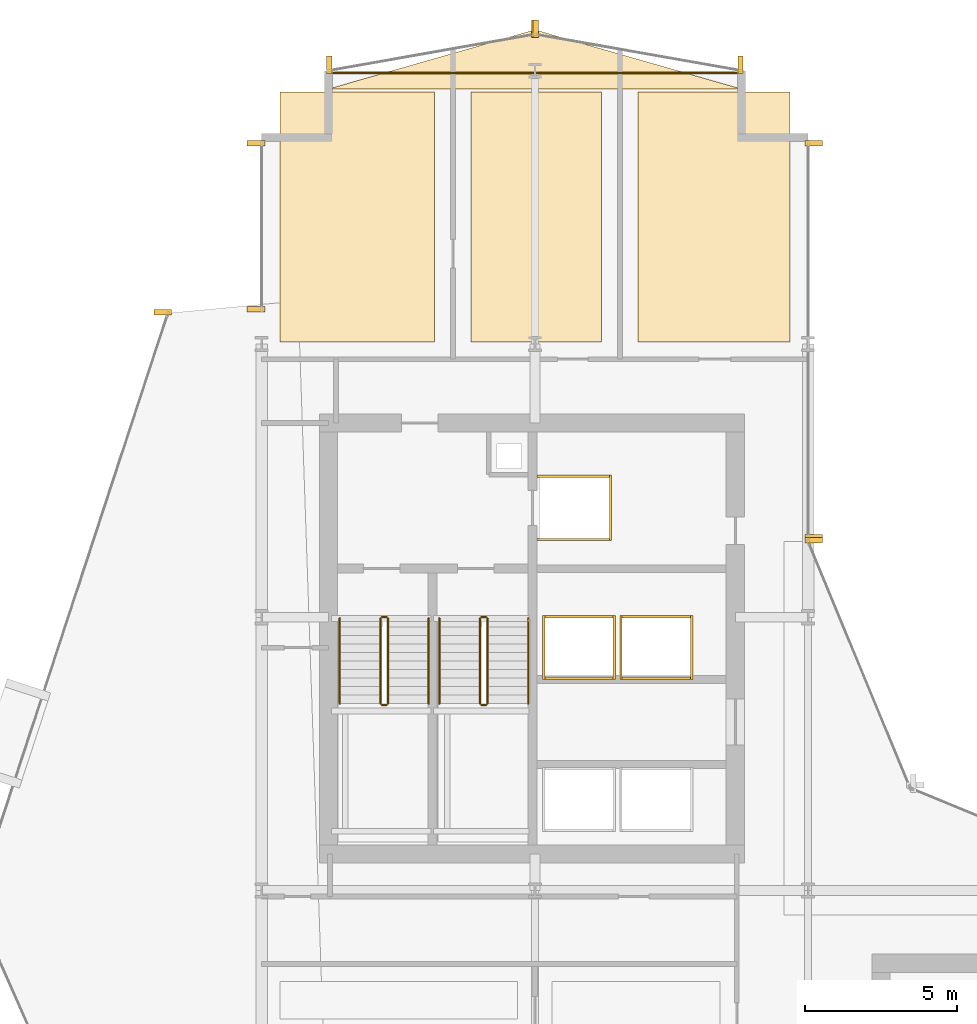
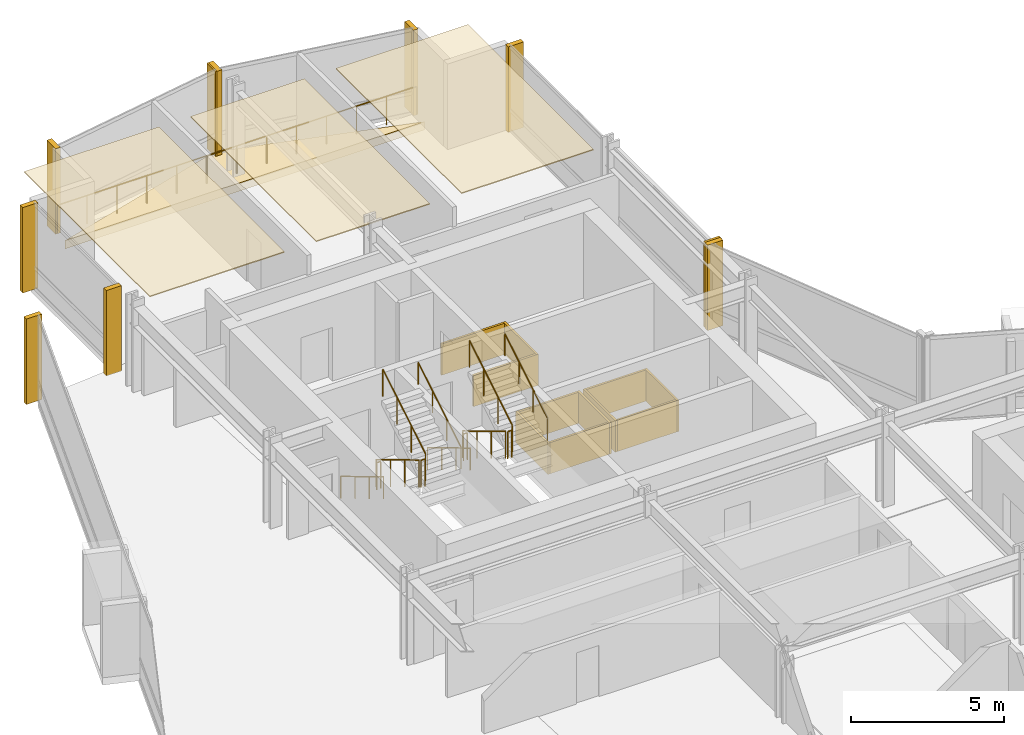
# One storey, part 33 of 34: 25 coverings, 13 railings.
"""IFC4 building model written with IfcOpenShell, lengths in metres."""

from ifc_helpers import new_model, si_unit, direction, frame, origin, origin_2d, place, context, subcontext, project, spatial, polyline, rectangle, circle, outline, extrude, material, layer, layer_set, type_object, element, save


model = new_model("IFC4")

# Units and contexts
model_context = context("Model", 3, precision=1e-05, world=origin(), true_north=direction((0.0, 1.0)))
body_context = subcontext(model_context, "Body", "Model", "MODEL_VIEW")
ifc_project = project(units=[si_unit("LENGTHUNIT", "METRE"), si_unit("AREAUNIT", "SQUARE_METRE"), si_unit("VOLUMEUNIT", "CUBIC_METRE"), si_unit("PLANEANGLEUNIT", "RADIAN"), si_unit("MASSUNIT", "GRAM", prefix="KILO")], contexts=[model_context])

# Site, building, storey
site_placement = place(None, origin())
site = spatial("IfcSite", under=ifc_project, at=site_placement, CompositionType="ELEMENT")
building_placement = place(site_placement, origin())
building = spatial("IfcBuilding", under=site, at=building_placement, Name="Solvaryn Broadcast Tower", CompositionType="ELEMENT")
storey_placement = place(building_placement, frame((0.0, 0.0, 36.0)))
storey = spatial("IfcBuildingStorey", under=building, at=storey_placement, Name="L07", CompositionType="ELEMENT", Elevation=36.0)

# Coverings
ifc_material_1 = material(Name="Micro-Perforated Acoustic Gypsum Ceiling", Category="concrete")
ifc_layer_1 = layer(ifc_material_1, 0.0400390625)
ifc_layer_set_1 = layer_set([ifc_layer_1], Name="CV-CEIL-ACOUSTIC")
covering_type_1 = type_object("IfcCoveringType", Name="CV-CEIL-ACOUSTIC", PredefinedType="CEILING", material=ifc_layer_set_1)
covering_1_placement = place(storey_placement, frame((0.0, 0.0, 3.3798828125)))
element("IfcCovering", 1, at=covering_1_placement, inside=storey, type_object=covering_type_1, Name="L07 Room Acoustic Ceiling 8", PredefinedType="CEILING", context=body_context, shape_type="SweptSolid", body=[
    extrude(outline(polyline([(9.60009765625, 45.070068359375), (14.699951171875, 45.070068359375), (14.699951171875, 53.300048828125), (9.60009765625, 53.300048828125), (9.60009765625, 45.070068359375)])), origin(), (0.0, 0.0, 1.0), 0.0400390625),
])
covering_2_placement = place(storey_placement, frame((0.0, 0.0, 3.3798828125)))
element("IfcCovering", 2, at=covering_2_placement, inside=storey, type_object=covering_type_1, Name="L07 Room Acoustic Ceiling 9", PredefinedType="CEILING", context=body_context, shape_type="SweptSolid", body=[
    extrude(outline(polyline([(15.89990234375, 45.070068359375), (20.199951171875, 45.070068359375), (20.199951171875, 53.300048828125), (15.89990234375, 53.300048828125), (15.89990234375, 45.070068359375)])), origin(), (0.0, 0.0, 1.0), 0.0400390625),
])
covering_3_placement = place(storey_placement, frame((0.0, 0.0, 3.3798828125)))
element("IfcCovering", 3, at=covering_3_placement, inside=storey, type_object=covering_type_1, Name="L07 Room Acoustic Ceiling 10", PredefinedType="CEILING", context=body_context, shape_type="SweptSolid", body=[
    extrude(outline(polyline([(21.39990234375, 45.070068359375), (26.39990234375, 45.070068359375), (26.39990234375, 53.300048828125), (21.39990234375, 53.300048828125), (21.39990234375, 45.070068359375)])), origin(), (0.0, 0.0, 1.0), 0.0400390625),
])
ifc_material_2 = material(Name="Fire-Rated Gypsum Shaftwall Liner", Category="concrete")
ifc_layer_2 = layer(ifc_material_2, 0.080078125)
ifc_layer_set_2 = layer_set([ifc_layer_2], Name="CV-SHAFT-LINER")
covering_type_2 = type_object("IfcCoveringType", Name="CV-SHAFT-LINER", PredefinedType="CLADDING", material=ifc_layer_set_2)
for number, where, z_axis, x_axis, name in (
    (4, (19.300048828125, 40.639892578125, 0.0), (0.0, 0.0, 1.0), (1.0, 0.0, 0.0), "L07 FL1 Hoistway Shaft Liner North"),
    (5, (19.300048828125, 38.56005859375, 0.0), (0.0, 0.0, 1.0), (1.0, 0.0, 0.0), "L07 FL1 Hoistway Shaft Liner South"),
):
    element("IfcCovering", number, at=place(storey_placement, frame(where, z_axis=z_axis, x_axis=x_axis)), inside=storey, type_object=covering_type_2, Name=name, PredefinedType="CLADDING", context=body_context, shape_type="SweptSolid", body=[
        extrude(rectangle(XDim=2.4599609375, YDim=0.080078125, at=origin_2d()), origin(), (0.0, 0.0, 1.0), 1.25),
    ])
covering_4_placement = place(storey_placement, frame((20.489990234375, 39.60009765625, 0.0), z_axis=(0.0, 0.0, 1.0), x_axis=(1.0, 0.0, 0.0)))
element("IfcCovering", 6, at=covering_4_placement, inside=storey, type_object=covering_type_2, Name="L07 FL1 Hoistway Shaft Liner East", PredefinedType="CLADDING", context=body_context, shape_type="SweptSolid", body=[
    extrude(rectangle(XDim=0.080078125, YDim=2.159912109375, at=origin_2d()), origin(), (0.0, 0.0, 1.0), 1.25),
])
for number, where, z_axis, x_axis, name in (
    (7, (19.449951171875, 36.014892578125, 0.0), (0.0, 0.0, 1.0), (1.0, 0.0, 0.0), "L07 PH3 Hoistway Shaft Liner North"),
    (8, (19.449951171875, 33.985107421875, 0.0), (0.0, 0.0, 1.0), (1.0, 0.0, 0.0), "L07 PH3 Hoistway Shaft Liner South"),
):
    element("IfcCovering", number, at=place(storey_placement, frame(where, z_axis=z_axis, x_axis=x_axis)), inside=storey, type_object=covering_type_2, Name=name, PredefinedType="CLADDING", context=body_context, shape_type="SweptSolid", body=[
        extrude(rectangle(XDim=2.409912109375, YDim=0.080078125, at=origin_2d()), origin(), (0.0, 0.0, 1.0), 1.25),
    ])
for number, where, z_axis, x_axis, name in (
    (9, (20.614990234375, 35.0, 0.0), (0.0, 0.0, 1.0), (1.0, 0.0, 0.0), "L07 PH3 Hoistway Shaft Liner East"),
    (10, (18.284912109375, 35.0, 0.0), (0.0, 0.0, 1.0), (1.0, 0.0, 0.0), "L07 PH3 Hoistway Shaft Liner West"),
):
    element("IfcCovering", number, at=place(storey_placement, frame(where, z_axis=z_axis, x_axis=x_axis)), inside=storey, type_object=covering_type_2, Name=name, PredefinedType="CLADDING", context=body_context, shape_type="SweptSolid", body=[
        extrude(rectangle(XDim=0.080078125, YDim=2.110107421875, at=origin_2d()), origin(), (0.0, 0.0, 1.0), 1.25),
    ])
for number, where, z_axis, x_axis, name in (
    (11, (22.0, 36.014892578125, 0.0), (0.0, 0.0, 1.0), (1.0, 0.0, 0.0), "L07 PH4 Hoistway Shaft Liner North"),
    (12, (22.0, 33.985107421875, 0.0), (0.0, 0.0, 1.0), (1.0, 0.0, 0.0), "L07 PH4 Hoistway Shaft Liner South"),
):
    element("IfcCovering", number, at=place(storey_placement, frame(where, z_axis=z_axis, x_axis=x_axis)), inside=storey, type_object=covering_type_2, Name=name, PredefinedType="CLADDING", context=body_context, shape_type="SweptSolid", body=[
        extrude(rectangle(XDim=2.409912109375, YDim=0.080078125, at=origin_2d()), origin(), (0.0, 0.0, 1.0), 1.25),
    ])
for number, where, z_axis, x_axis, name in (
    (13, (23.1650390625, 35.0, 0.0), (0.0, 0.0, 1.0), (1.0, 0.0, 0.0), "L07 PH4 Hoistway Shaft Liner East"),
    (14, (20.8349609375, 35.0, 0.0), (0.0, 0.0, 1.0), (1.0, 0.0, 0.0), "L07 PH4 Hoistway Shaft Liner West"),
):
    element("IfcCovering", number, at=place(storey_placement, frame(where, z_axis=z_axis, x_axis=x_axis)), inside=storey, type_object=covering_type_2, Name=name, PredefinedType="CLADDING", context=body_context, shape_type="SweptSolid", body=[
        extrude(rectangle(XDim=0.080078125, YDim=2.110107421875, at=origin_2d()), origin(), (0.0, 0.0, 1.0), 1.25),
    ])
ifc_material_3 = material(Name="Extruded Architectural Terracotta Fin", Category="masonry")
ifc_layer_3 = layer(ifc_material_3, 0.179931640625)
ifc_layer_set_3 = layer_set([ifc_layer_3], Name="CV-TC-FIN")
covering_type_3 = type_object("IfcCoveringType", Name="CV-TC-FIN", PredefinedType="USERDEFINED", material=ifc_layer_set_3)
for number, where, z_axis, x_axis, name in (
    (15, (5.735595703125, 46.043701171875, 0.0), (0.0, 0.0, 1.0), (1.0, 0.0, 0.0), "L07 Terracotta Vertical Fin FIN-L07-DR1-M00"),
    (16, (8.8125, 46.14599609375, 0.0), (0.0, 0.0, 1.0), (1.0, 0.0, 0.0), "L07 Terracotta Vertical Fin FIN-L07-W2-M00"),
    (17, (8.8125, 51.6201171875, 0.0), (0.0, 0.0, 1.0), (1.0, 0.0, 0.0), "L07 Terracotta Vertical Fin FIN-L07-W2-M01"),
    (18, (27.1875, 51.6201171875, 0.0), (0.0, 0.0, 1.0), (1.0, 0.0, 0.0), "L07 Terracotta Vertical Fin FIN-L07-IV-M00"),
    (19, (27.1875, 38.6298828125, 0.0), (0.0, 0.0, 1.0), (1.0, 0.0, 0.0), "L07 Terracotta Vertical Fin FIN-L07-IV-M01"),
    (20, (27.177978515625, 38.541259765625, 0.0), (0.0, 0.0, 1.0), (1.0, 0.0, 0.0), "L07 Terracotta Vertical Fin FIN-L07-CN2-M01"),
):
    element("IfcCovering", number, at=place(storey_placement, frame(where, z_axis=z_axis, x_axis=x_axis)), inside=storey, type_object=covering_type_3, Name=name, ObjectType="FIN", PredefinedType="USERDEFINED", context=body_context, shape_type="SweptSolid", body=[
        extrude(rectangle(XDim=0.580078125, YDim=0.179931640625, at=origin_2d()), origin(), (0.0, 0.0, 1.0), 3.419921875),
    ])
for number, where, z_axis, x_axis, name in (
    (21, (24.7705078125, 54.192626953125, 0.0), (0.0, 0.0, 1.0), (1.0, 0.0, 0.0), "L07 Terracotta Vertical Fin FIN-L07-NT1-M00"),
    (22, (18.029541015625, 55.38232421875, 0.0), (0.0, 0.0, 1.0), (1.0, 0.0, 0.0), "L07 Terracotta Vertical Fin FIN-L07-NT1-M01"),
    (23, (17.970458984375, 55.38232421875, 0.0), (0.0, 0.0, 1.0), (1.0, 0.0, 0.0), "L07 Terracotta Vertical Fin FIN-L07-NT2-M00"),
    (24, (11.2294921875, 54.192626953125, 0.0), (0.0, 0.0, 1.0), (1.0, 0.0, 0.0), "L07 Terracotta Vertical Fin FIN-L07-NT2-M01"),
):
    element("IfcCovering", number, at=place(storey_placement, frame(where, z_axis=z_axis, x_axis=x_axis)), inside=storey, type_object=covering_type_3, Name=name, ObjectType="FIN", PredefinedType="USERDEFINED", context=body_context, shape_type="SweptSolid", body=[
        extrude(rectangle(XDim=0.179931640625, YDim=0.580078125, at=origin_2d()), origin(), (0.0, 0.0, 1.0), 3.419921875),
    ])
ifc_material_4 = material(Name="Sculpted Architectural Terracotta Wave Fascia", Category="masonry")
ifc_layer_4 = layer(ifc_material_4, 0.340087890625)
ifc_layer_set_4 = layer_set([ifc_layer_4], Name="CV-WAVE-TRAY")
covering_type_4 = type_object("IfcCoveringType", Name="CV-WAVE-TRAY", PredefinedType="CLADDING", material=ifc_layer_set_4)
covering_5_placement = place(storey_placement, frame((0.0, 0.0, -0.300048828125)))
element("IfcCovering", 25, at=covering_5_placement, inside=storey, type_object=covering_type_4, Name="L07 North Curved Wing Deck", PredefinedType="CLADDING", context=body_context, shape_type="SweptSolid", body=[
    extrude(outline(polyline([(11.199951171875, 53.39990234375), (24.800048828125, 53.39990234375), (18.0, 55.35009765625), (11.199951171875, 53.39990234375)])), origin(), (0.0, 0.0, 1.0), 0.330078125),
])

# Railings
ifc_material_5 = material(Name="Painted Steel Stair Well Guard", Category="steel")
railing_type_1 = type_object("IfcRailingType", Name="RL-STAIR-GUARD", PredefinedType="BALUSTRADE", material=ifc_material_5)
railing_1_placement = place(storey_placement, frame((12.909912109375, 35.9599609375, 0.168212890625)))
element("IfcRailing", 26, at=railing_1_placement, inside=storey, type_object=railing_type_1, Name="L07 ST1 stair guard 1", PredefinedType="BALUSTRADE", context=body_context, shape_type="SweptSolid", body=[
    extrude(circle(Radius=0.02392578125, at=origin_2d()), frame((0.0, 0.0, 1.076171875), z_axis=(0.0, -0.857242210791, 0.514913383045), x_axis=(1.0, 0.0, 0.0)), (0.0, 0.0, 1.0), 3.266357421875),
    extrude(circle(Radius=0.02099609375, at=origin_2d()), origin(), (0.0, 0.0, 1.0), 1.052001953125),
    extrude(circle(Radius=0.02099609375, at=origin_2d()), frame((0.0, -0.933349609375, 0.560546875)), (0.0, 0.0, 1.0), 1.052001953125),
    extrude(circle(Radius=0.02099609375, at=origin_2d()), frame((0.0, -1.86669921875, 1.121337890625)), (0.0, 0.0, 1.0), 1.052001953125),
    extrude(circle(Radius=0.02099609375, at=origin_2d()), frame((0.0, -2.800048828125, 1.681884765625)), (0.0, 0.0, 1.0), 1.052001953125),
])
railing_2_placement = place(storey_placement, frame((12.9599609375, 33.110107421875, 1.85009765625)))
element("IfcRailing", 27, at=railing_2_placement, inside=storey, type_object=railing_type_1, Name="L07 ST1 stair guard 2", PredefinedType="BALUSTRADE", context=body_context, shape_type="SweptSolid", body=[
    extrude(circle(Radius=0.02392578125, at=origin_2d()), frame((0.0, 0.0, 1.076171875), z_axis=(1.0, 0.0, 0.0), x_axis=(0.0, 1.0, 0.0)), (0.0, 0.0, 1.0), 0.150146484375),
    extrude(circle(Radius=0.02099609375, at=origin_2d()), origin(), (0.0, 0.0, 1.0), 1.052001953125),
    extrude(circle(Radius=0.02099609375, at=origin_2d()), frame((0.150146484375, 0.0, 0.0)), (0.0, 0.0, 1.0), 1.052001953125),
])
railing_3_placement = place(storey_placement, frame((13.159912109375, 33.159912109375, 2.01806640625)))
element("IfcRailing", 28, at=railing_3_placement, inside=storey, type_object=railing_type_1, Name="L07 ST1 stair guard 3", PredefinedType="BALUSTRADE", context=body_context, shape_type="SweptSolid", body=[
    extrude(circle(Radius=0.02392578125, at=origin_2d()), frame((0.0, 0.0, 1.076171875), z_axis=(0.0, 0.857242210791, 0.514913383045), x_axis=(-1.0, 0.0, 0.0)), (0.0, 0.0, 1.0), 3.266357421875),
    extrude(circle(Radius=0.02099609375, at=origin_2d()), origin(), (0.0, 0.0, 1.0), 1.052001953125),
    extrude(circle(Radius=0.02099609375, at=origin_2d()), frame((0.0, 0.933349609375, 0.560546875)), (0.0, 0.0, 1.0), 1.052001953125),
    extrude(circle(Radius=0.02099609375, at=origin_2d()), frame((0.0, 1.86669921875, 1.121337890625)), (0.0, 0.0, 1.0), 1.052001953125),
    extrude(circle(Radius=0.02099609375, at=origin_2d()), frame((0.0, 2.800048828125, 1.681884765625)), (0.0, 0.0, 1.0), 1.052001953125),
])
railing_4_placement = place(storey_placement, frame((12.9599609375, 36.010009765625, 0.0)))
element("IfcRailing", 29, at=railing_4_placement, inside=storey, type_object=railing_type_1, Name="L07 ST1 stair guard 4", PredefinedType="BALUSTRADE", context=body_context, shape_type="SweptSolid", body=[
    extrude(circle(Radius=0.02392578125, at=origin_2d()), frame((0.0, 0.0, 1.076171875), z_axis=(1.0, 0.0, 0.0), x_axis=(0.0, 1.0, 0.0)), (0.0, 0.0, 1.0), 0.150146484375),
    extrude(circle(Radius=0.02099609375, at=origin_2d()), origin(), (0.0, 0.0, 1.0), 1.052001953125),
    extrude(circle(Radius=0.02099609375, at=origin_2d()), frame((0.150146484375, 0.0, 0.0)), (0.0, 0.0, 1.0), 1.052001953125),
])
railing_5_placement = place(storey_placement, frame((16.18994140625, 35.9599609375, 0.168212890625)))
element("IfcRailing", 30, at=railing_5_placement, inside=storey, type_object=railing_type_1, Name="L07 ST2 stair guard 1", PredefinedType="BALUSTRADE", context=body_context, shape_type="SweptSolid", body=[
    extrude(circle(Radius=0.02392578125, at=origin_2d()), frame((0.0, 0.0, 1.076171875), z_axis=(0.0, -0.857242210791, 0.514913383045), x_axis=(1.0, 0.0, 0.0)), (0.0, 0.0, 1.0), 3.266357421875),
    extrude(circle(Radius=0.02099609375, at=origin_2d()), origin(), (0.0, 0.0, 1.0), 1.052001953125),
    extrude(circle(Radius=0.02099609375, at=origin_2d()), frame((0.0, -0.933349609375, 0.560546875)), (0.0, 0.0, 1.0), 1.052001953125),
    extrude(circle(Radius=0.02099609375, at=origin_2d()), frame((0.0, -1.86669921875, 1.121337890625)), (0.0, 0.0, 1.0), 1.052001953125),
    extrude(circle(Radius=0.02099609375, at=origin_2d()), frame((0.0, -2.800048828125, 1.681884765625)), (0.0, 0.0, 1.0), 1.052001953125),
])
railing_6_placement = place(storey_placement, frame((16.239990234375, 33.110107421875, 1.85009765625)))
element("IfcRailing", 31, at=railing_6_placement, inside=storey, type_object=railing_type_1, Name="L07 ST2 stair guard 2", PredefinedType="BALUSTRADE", context=body_context, shape_type="SweptSolid", body=[
    extrude(circle(Radius=0.02392578125, at=origin_2d()), frame((0.0, 0.0, 1.076171875), z_axis=(1.0, 0.0, 0.0), x_axis=(0.0, 1.0, 0.0)), (0.0, 0.0, 1.0), 0.14990234375),
    extrude(circle(Radius=0.02099609375, at=origin_2d()), origin(), (0.0, 0.0, 1.0), 1.052001953125),
    extrude(circle(Radius=0.02099609375, at=origin_2d()), frame((0.14990234375, 0.0, 0.0)), (0.0, 0.0, 1.0), 1.052001953125),
])
railing_7_placement = place(storey_placement, frame((16.43994140625, 33.159912109375, 2.01806640625)))
element("IfcRailing", 32, at=railing_7_placement, inside=storey, type_object=railing_type_1, Name="L07 ST2 stair guard 3", PredefinedType="BALUSTRADE", context=body_context, shape_type="SweptSolid", body=[
    extrude(circle(Radius=0.02392578125, at=origin_2d()), frame((0.0, 0.0, 1.076171875), z_axis=(0.0, 0.857242210791, 0.514913383045), x_axis=(-1.0, 0.0, 0.0)), (0.0, 0.0, 1.0), 3.266357421875),
    extrude(circle(Radius=0.02099609375, at=origin_2d()), origin(), (0.0, 0.0, 1.0), 1.052001953125),
    extrude(circle(Radius=0.02099609375, at=origin_2d()), frame((0.0, 0.933349609375, 0.560546875)), (0.0, 0.0, 1.0), 1.052001953125),
    extrude(circle(Radius=0.02099609375, at=origin_2d()), frame((0.0, 1.86669921875, 1.121337890625)), (0.0, 0.0, 1.0), 1.052001953125),
    extrude(circle(Radius=0.02099609375, at=origin_2d()), frame((0.0, 2.800048828125, 1.681884765625)), (0.0, 0.0, 1.0), 1.052001953125),
])
railing_8_placement = place(storey_placement, frame((16.239990234375, 36.010009765625, 0.0)))
element("IfcRailing", 33, at=railing_8_placement, inside=storey, type_object=railing_type_1, Name="L07 ST2 stair guard 4", PredefinedType="BALUSTRADE", context=body_context, shape_type="SweptSolid", body=[
    extrude(circle(Radius=0.02392578125, at=origin_2d()), frame((0.0, 0.0, 1.076171875), z_axis=(1.0, 0.0, 0.0), x_axis=(0.0, 1.0, 0.0)), (0.0, 0.0, 1.0), 0.14990234375),
    extrude(circle(Radius=0.02099609375, at=origin_2d()), origin(), (0.0, 0.0, 1.0), 1.052001953125),
    extrude(circle(Radius=0.02099609375, at=origin_2d()), frame((0.14990234375, 0.0, 0.0)), (0.0, 0.0, 1.0), 1.052001953125),
])
ifc_material_6 = material(Name="Brushed Stainless Steel Tubular Handrail", Category="steel")
railing_type_2 = type_object("IfcRailingType", Name="RL-STAIR-HANDRAIL", PredefinedType="HANDRAIL", material=ifc_material_6)
railing_9_placement = place(storey_placement, frame((11.570068359375, 35.9599609375, 0.168212890625)))
element("IfcRailing", 34, at=railing_9_placement, inside=storey, type_object=railing_type_2, Name="L07 ST1 stair handrail 1", PredefinedType="HANDRAIL", context=body_context, shape_type="SweptSolid", body=[
    extrude(circle(Radius=0.02392578125, at=origin_2d()), frame((0.0, 0.0, 0.8759765625), z_axis=(0.0, -0.857242210791, 0.514913383045), x_axis=(1.0, 0.0, 0.0)), (0.0, 0.0, 1.0), 3.266357421875),
    extrude(circle(Radius=0.02099609375, at=origin_2d()), origin(), (0.0, 0.0, 1.0), 0.851806640625),
    extrude(circle(Radius=0.02099609375, at=origin_2d()), frame((0.0, -0.933349609375, 0.560546875)), (0.0, 0.0, 1.0), 0.851806640625),
    extrude(circle(Radius=0.02099609375, at=origin_2d()), frame((0.0, -1.86669921875, 1.121337890625)), (0.0, 0.0, 1.0), 0.851806640625),
    extrude(circle(Radius=0.02099609375, at=origin_2d()), frame((0.0, -2.800048828125, 1.681884765625)), (0.0, 0.0, 1.0), 0.851806640625),
])
railing_10_placement = place(storey_placement, frame((14.5, 33.159912109375, 2.01806640625)))
element("IfcRailing", 35, at=railing_10_placement, inside=storey, type_object=railing_type_2, Name="L07 ST1 stair handrail 2", PredefinedType="HANDRAIL", context=body_context, shape_type="SweptSolid", body=[
    extrude(circle(Radius=0.02392578125, at=origin_2d()), frame((0.0, 0.0, 0.8759765625), z_axis=(0.0, 0.857242210791, 0.514913383045), x_axis=(-1.0, 0.0, 0.0)), (0.0, 0.0, 1.0), 3.266357421875),
    extrude(circle(Radius=0.02099609375, at=origin_2d()), origin(), (0.0, 0.0, 1.0), 0.851806640625),
    extrude(circle(Radius=0.02099609375, at=origin_2d()), frame((0.0, 0.933349609375, 0.560546875)), (0.0, 0.0, 1.0), 0.851806640625),
    extrude(circle(Radius=0.02099609375, at=origin_2d()), frame((0.0, 1.86669921875, 1.121337890625)), (0.0, 0.0, 1.0), 0.851806640625),
    extrude(circle(Radius=0.02099609375, at=origin_2d()), frame((0.0, 2.800048828125, 1.681884765625)), (0.0, 0.0, 1.0), 0.851806640625),
])
railing_11_placement = place(storey_placement, frame((14.85009765625, 35.9599609375, 0.168212890625)))
element("IfcRailing", 36, at=railing_11_placement, inside=storey, type_object=railing_type_2, Name="L07 ST2 stair handrail 1", PredefinedType="HANDRAIL", context=body_context, shape_type="SweptSolid", body=[
    extrude(circle(Radius=0.02392578125, at=origin_2d()), frame((0.0, 0.0, 0.8759765625), z_axis=(0.0, -0.857242210791, 0.514913383045), x_axis=(1.0, 0.0, 0.0)), (0.0, 0.0, 1.0), 3.266357421875),
    extrude(circle(Radius=0.02099609375, at=origin_2d()), origin(), (0.0, 0.0, 1.0), 0.851806640625),
    extrude(circle(Radius=0.02099609375, at=origin_2d()), frame((0.0, -0.933349609375, 0.560546875)), (0.0, 0.0, 1.0), 0.851806640625),
    extrude(circle(Radius=0.02099609375, at=origin_2d()), frame((0.0, -1.86669921875, 1.121337890625)), (0.0, 0.0, 1.0), 0.851806640625),
    extrude(circle(Radius=0.02099609375, at=origin_2d()), frame((0.0, -2.800048828125, 1.681884765625)), (0.0, 0.0, 1.0), 0.851806640625),
])
railing_12_placement = place(storey_placement, frame((17.780029296875, 33.159912109375, 2.01806640625)))
element("IfcRailing", 37, at=railing_12_placement, inside=storey, type_object=railing_type_2, Name="L07 ST2 stair handrail 2", PredefinedType="HANDRAIL", context=body_context, shape_type="SweptSolid", body=[
    extrude(circle(Radius=0.02392578125, at=origin_2d()), frame((0.0, 0.0, 0.8759765625), z_axis=(0.0, 0.857242210791, 0.514913383045), x_axis=(-1.0, 0.0, 0.0)), (0.0, 0.0, 1.0), 3.266357421875),
    extrude(circle(Radius=0.02099609375, at=origin_2d()), origin(), (0.0, 0.0, 1.0), 0.851806640625),
    extrude(circle(Radius=0.02099609375, at=origin_2d()), frame((0.0, 0.933349609375, 0.560546875)), (0.0, 0.0, 1.0), 0.851806640625),
    extrude(circle(Radius=0.02099609375, at=origin_2d()), frame((0.0, 1.86669921875, 1.121337890625)), (0.0, 0.0, 1.0), 0.851806640625),
    extrude(circle(Radius=0.02099609375, at=origin_2d()), frame((0.0, 2.800048828125, 1.681884765625)), (0.0, 0.0, 1.0), 0.851806640625),
])
ifc_material_7 = material(Name="Stainless Steel and Laminated Glass Guard", Category="steel")
railing_type_3 = type_object("IfcRailingType", Name="RL-TER-1150", PredefinedType="BALUSTRADE", material=ifc_material_7)
railing_13_placement = place(storey_placement, frame((11.199951171875, 53.919921875, 0.0)))
element("IfcRailing", 38, at=railing_13_placement, inside=storey, type_object=railing_type_3, Name="L07 North Wing Spandrel Edge Guard", PredefinedType="BALUSTRADE", context=body_context, shape_type="SweptSolid", body=[
    extrude(circle(Radius=0.02392578125, at=origin_2d()), frame((0.0, 0.0, 1.1259765625), z_axis=(1.0, 0.0, 0.0), x_axis=(0.0, 1.0, 0.0)), (0.0, 0.0, 1.0), 13.60009765625),
    extrude(circle(Radius=0.02099609375, at=origin_2d()), origin(), (0.0, 0.0, 1.0), 1.101806640625),
    extrude(circle(Radius=0.02099609375, at=origin_2d()), frame((1.13330078125, 0.0, 0.0)), (0.0, 0.0, 1.0), 1.101806640625),
    extrude(circle(Radius=0.02099609375, at=origin_2d()), frame((2.2666015625, 0.0, 0.0)), (0.0, 0.0, 1.0), 1.101806640625),
    extrude(circle(Radius=0.02099609375, at=origin_2d()), frame((3.39990234375, 0.0, 0.0)), (0.0, 0.0, 1.0), 1.101806640625),
    extrude(circle(Radius=0.02099609375, at=origin_2d()), frame((4.533447265625, 0.0, 0.0)), (0.0, 0.0, 1.0), 1.101806640625),
    extrude(circle(Radius=0.02099609375, at=origin_2d()), frame((5.666748046875, 0.0, 0.0)), (0.0, 0.0, 1.0), 1.101806640625),
    extrude(circle(Radius=0.02099609375, at=origin_2d()), frame((6.800048828125, 0.0, 0.0)), (0.0, 0.0, 1.0), 1.101806640625),
    extrude(circle(Radius=0.02099609375, at=origin_2d()), frame((7.933349609375, 0.0, 0.0)), (0.0, 0.0, 1.0), 1.101806640625),
    extrude(circle(Radius=0.02099609375, at=origin_2d()), frame((9.066650390625, 0.0, 0.0)), (0.0, 0.0, 1.0), 1.101806640625),
    extrude(circle(Radius=0.02099609375, at=origin_2d()), frame((10.2001953125, 0.0, 0.0)), (0.0, 0.0, 1.0), 1.101806640625),
    extrude(circle(Radius=0.02099609375, at=origin_2d()), frame((11.33349609375, 0.0, 0.0)), (0.0, 0.0, 1.0), 1.101806640625),
    extrude(circle(Radius=0.02099609375, at=origin_2d()), frame((12.466796875, 0.0, 0.0)), (0.0, 0.0, 1.0), 1.101806640625),
    extrude(circle(Radius=0.02099609375, at=origin_2d()), frame((13.60009765625, 0.0, 0.0)), (0.0, 0.0, 1.0), 1.101806640625),
])

save(model, "model.ifc")
